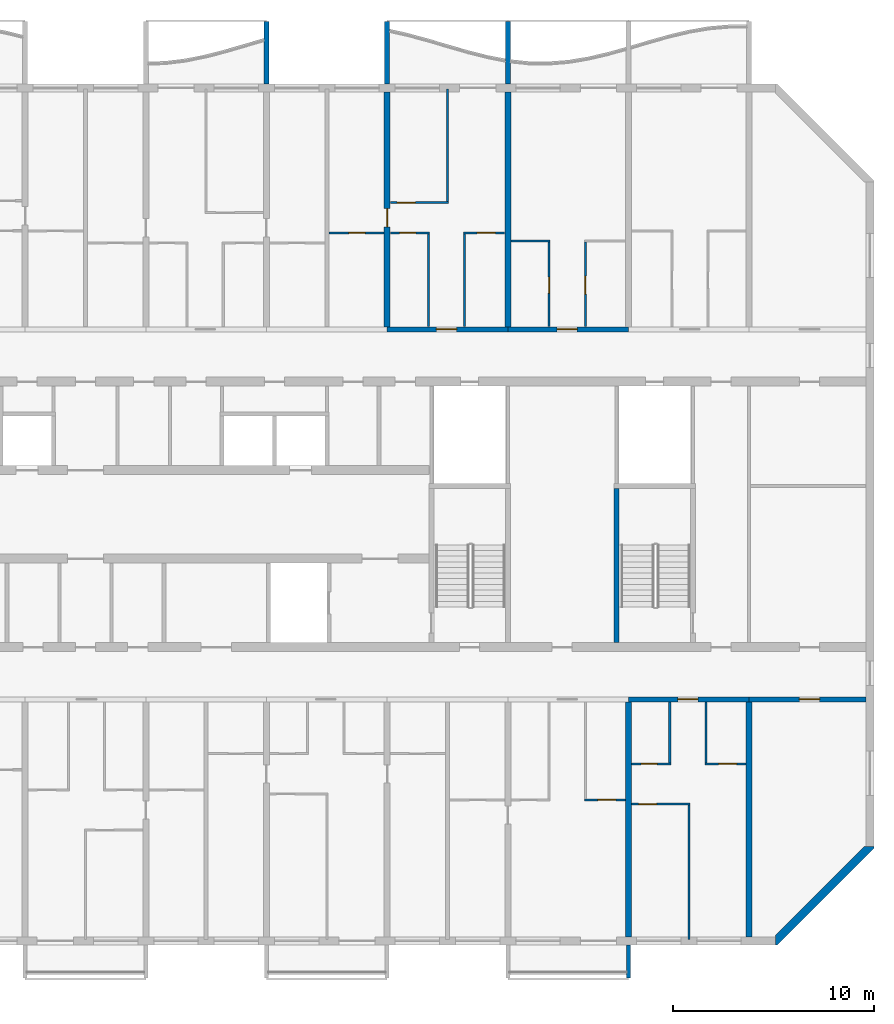
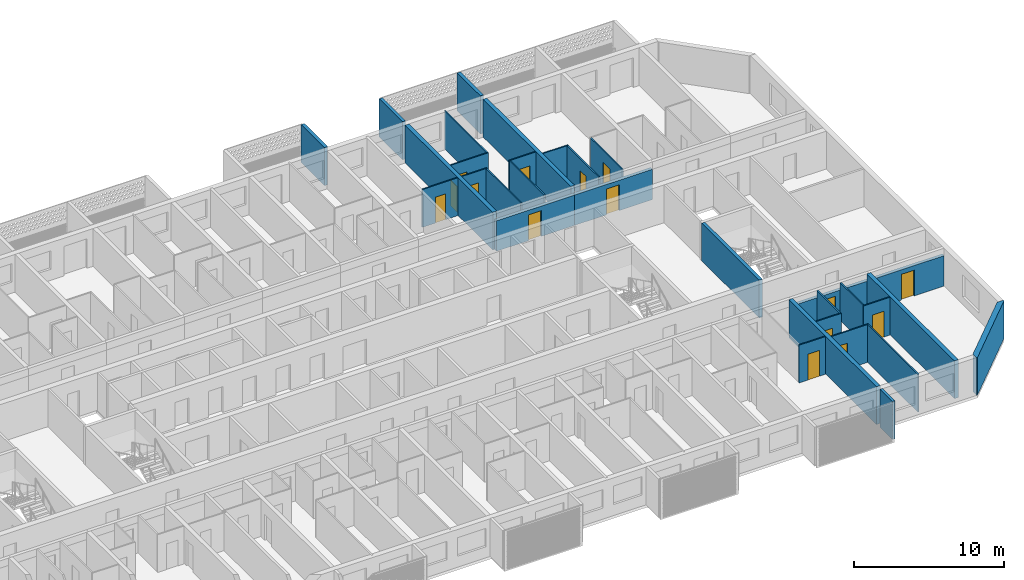
# One storey, part 12 of 33: 31 walls, 15 doors, 15 openings.
"""IFC4 building model written with IfcOpenShell, lengths in metres."""

from ifc_helpers import new_model, si_unit, direction, frame, frame_2d, origin, place, context, subcontext, project, spatial, polyline, rectangle, outline, extrude, source, transform, mapped, material, layer, layer_set, type_object, element, fill, save


model = new_model("IFC4")

# Units and contexts
model_context = context("Model", 3, precision=1e-05, world=origin(), true_north=direction((0.0, 1.0)))
body_context = subcontext(model_context, "Body", "Model", "MODEL_VIEW")
ifc_project = project(units=[si_unit("LENGTHUNIT", "METRE"), si_unit("AREAUNIT", "SQUARE_METRE"), si_unit("VOLUMEUNIT", "CUBIC_METRE"), si_unit("PLANEANGLEUNIT", "RADIAN"), si_unit("MASSUNIT", "GRAM", prefix="KILO")], contexts=[model_context])

# Site, building, storey
site_placement = place(None, origin())
site = spatial("IfcSite", under=ifc_project, at=site_placement, CompositionType="ELEMENT")
building_placement = place(site_placement, origin())
building = spatial("IfcBuilding", under=site, at=building_placement, Name="Poui Terraces", CompositionType="ELEMENT")
storey_placement = place(building_placement, frame((0.0, 0.0, 138.89990234375)))
storey = spatial("IfcBuildingStorey", under=building, at=storey_placement, Name="L38", CompositionType="ELEMENT", Elevation=138.89990234375)

# Wall, opening, door
ifc_material_1 = material(Name="Concrete 65 MPa", Category="concrete")
ifc_layer_1 = layer(ifc_material_1, 0.25)
ifc_layer_set_1 = layer_set([ifc_layer_1], Name="Concrete 65 MPa")
wall_type_1 = type_object("IfcWallType", Name="CORRIDOR WALL 250 65MPa", PredefinedType="SHEAR", material=ifc_layer_set_1)
wall_1_placement = place(storey_placement, frame((78.0, 12.0, 0.0), z_axis=(0.0, 0.0, 1.0), x_axis=(1.0, 0.0, 0.0)))
wall_1 = element("IfcWall", 1, at=wall_1_placement, inside=storey, type_object=wall_type_1, Name="CORRIDOR WALL LINE B BAY 12", PredefinedType="SHEAR", context=body_context, shape_type="SweptSolid", body=[
    extrude(rectangle(XDim=6.0, YDim=0.25, at=frame_2d((3.0, 0.0))), origin(), (0.0, 0.0, 1.0), 2.47021484375),
])
opening_1_placement = place(wall_1_placement, frame((2.449951171875, 0.0, 0.0)))
opening_1 = element("IfcOpeningElement", 2, at=opening_1_placement, cuts=wall_1, Name="Opening FD30S", PredefinedType="OPENING", context=body_context, shape_type="SweptSolid", body=[
    extrude(rectangle(XDim=1.0, YDim=2.10009765625, at=frame_2d((0.5, 1.050048828125))), frame((0.0, 0.135009765625, 0.0), z_axis=(0.0, -1.0, 0.0), x_axis=(1.0, 0.0, 0.0)), (0.0, 0.0, 1.0), 0.27001953125),
])
ifc_material_2 = material(Name="Steel fire door", Category="steel")
door_type_1 = type_object("IfcDoorType", Name="FLAT ENTRANCE DOOR 1000 X 2100", OperationType="NOTDEFINED", PredefinedType="DOOR", material=ifc_material_2)
door_1_placement = place(opening_1_placement, frame((1.0, 0.0, 0.0), z_axis=(0.0, 0.0, 1.0), x_axis=(-1.0, 0.0, 0.0)))
door_1 = element("IfcDoor", 3, at=door_1_placement, inside=storey, type_object=door_type_1, Name="FLAT ENTRANCE DOOR 114", OperationType="SINGLE_SWING_RIGHT", OverallHeight=2.10009765625, OverallWidth=1.0, PredefinedType="DOOR", context=body_context, shape_type="SweptSolid", body=[
    extrude(rectangle(XDim=1.0, YDim=2.10009765625, at=frame_2d((0.5, 1.050048828125))), frame((0.0, 0.02490234375, 0.0), z_axis=(0.0, -1.0, 0.0), x_axis=(1.0, 0.0, 0.0)), (0.0, 0.0, 1.0), 0.050048828125),
])
fill(opening_1, door_1)

wall_2_placement = place(storey_placement, frame((84.0, 12.0, 0.0), z_axis=(0.0, 0.0, 1.0), x_axis=(1.0, 0.0, 0.0)))
wall_2 = element("IfcWall", 4, at=wall_2_placement, inside=storey, type_object=wall_type_1, Name="CORRIDOR WALL LINE B BAY 13", PredefinedType="SHEAR", context=body_context, shape_type="SweptSolid", body=[
    extrude(rectangle(XDim=5.800048828125, YDim=0.25, at=frame_2d((2.89990234375, 0.0))), origin(), (0.0, 0.0, 1.0), 2.47021484375),
])
opening_2_placement = place(wall_2_placement, frame((2.5, 0.0, 0.0)))
opening_2 = element("IfcOpeningElement", 5, at=opening_2_placement, cuts=wall_2, Name="Opening D100", PredefinedType="OPENING", context=body_context, shape_type="SweptSolid", body=[
    extrude(rectangle(XDim=1.0, YDim=2.10009765625, at=frame_2d((0.5, 1.050048828125))), frame((0.0, 0.135009765625, 0.0), z_axis=(0.0, -1.0, 0.0), x_axis=(1.0, 0.0, 0.0)), (0.0, 0.0, 1.0), 0.27001953125),
])
ifc_material_3 = material(Name="Solid core timber door", Category="wood")
door_type_2 = type_object("IfcDoorType", Name="ACCESSIBLE INTERNAL DOOR 1000 X 2100", OperationType="NOTDEFINED", PredefinedType="DOOR", material=ifc_material_3)
door_2_placement = place(opening_2_placement, frame((1.0, 0.0, 0.0), z_axis=(0.0, 0.0, 1.0), x_axis=(-1.0, 0.0, 0.0)))
door_2 = element("IfcDoor", 6, at=door_2_placement, inside=storey, type_object=door_type_2, Name="ACCESSIBLE INTERNAL DOOR 116", OperationType="SINGLE_SWING_RIGHT", OverallHeight=2.10009765625, OverallWidth=1.0, PredefinedType="DOOR", context=body_context, shape_type="SweptSolid", body=[
    extrude(rectangle(XDim=1.0, YDim=2.10009765625, at=frame_2d((0.5, 1.050048828125))), frame((0.0, 0.02490234375, 0.0), z_axis=(0.0, -1.0, 0.0), x_axis=(1.0, 0.0, 0.0)), (0.0, 0.0, 1.0), 0.050048828125),
])
fill(opening_2, door_2)

wall_3_placement = place(storey_placement, frame((66.0, 30.39990234375, 0.0), z_axis=(0.0, 0.0, 1.0), x_axis=(1.0, 0.0, 0.0)))
wall_3 = element("IfcWall", 7, at=wall_3_placement, inside=storey, type_object=wall_type_1, Name="CORRIDOR WALL LINE E BAY 10", PredefinedType="SHEAR", context=body_context, shape_type="SweptSolid", body=[
    extrude(rectangle(XDim=6.0, YDim=0.25, at=frame_2d((3.0, 0.0))), origin(), (0.0, 0.0, 1.0), 2.47021484375),
])
opening_3_placement = place(wall_3_placement, frame((2.449951171875, 0.0, 0.0)))
opening_3 = element("IfcOpeningElement", 8, at=opening_3_placement, cuts=wall_3, Name="Opening FD30S", PredefinedType="OPENING", context=body_context, shape_type="SweptSolid", body=[
    extrude(rectangle(XDim=1.0, YDim=2.10009765625, at=frame_2d((0.5, 1.050048828125))), frame((0.0, 0.135009765625, 0.0), z_axis=(0.0, -1.0, 0.0), x_axis=(1.0, 0.0, 0.0)), (0.0, 0.0, 1.0), 0.27001953125),
])
door_3_placement = place(opening_3_placement, origin())
door_3 = element("IfcDoor", 9, at=door_3_placement, inside=storey, type_object=door_type_1, Name="FLAT ENTRANCE DOOR 065", OperationType="SINGLE_SWING_LEFT", OverallHeight=2.10009765625, OverallWidth=1.0, PredefinedType="DOOR", context=body_context, shape_type="SweptSolid", body=[
    extrude(rectangle(XDim=1.0, YDim=2.10009765625, at=frame_2d((0.5, 1.050048828125))), frame((0.0, 0.02490234375, 0.0), z_axis=(0.0, -1.0, 0.0), x_axis=(1.0, 0.0, 0.0)), (0.0, 0.0, 1.0), 0.050048828125),
])
fill(opening_3, door_3)

wall_4_placement = place(storey_placement, frame((72.0, 30.39990234375, 0.0), z_axis=(0.0, 0.0, 1.0), x_axis=(1.0, 0.0, 0.0)))
wall_4 = element("IfcWall", 10, at=wall_4_placement, inside=storey, type_object=wall_type_1, Name="CORRIDOR WALL LINE E BAY 11", PredefinedType="SHEAR", context=body_context, shape_type="SweptSolid", body=[
    extrude(rectangle(XDim=6.0, YDim=0.25, at=frame_2d((3.0, 0.0))), origin(), (0.0, 0.0, 1.0), 2.47021484375),
])
opening_4_placement = place(wall_4_placement, frame((2.449951171875, 0.0, 0.0)))
opening_4 = element("IfcOpeningElement", 11, at=opening_4_placement, cuts=wall_4, Name="Opening FD30S", PredefinedType="OPENING", context=body_context, shape_type="SweptSolid", body=[
    extrude(rectangle(XDim=1.0, YDim=2.10009765625, at=frame_2d((0.5, 1.050048828125))), frame((0.0, 0.135009765625, 0.0), z_axis=(0.0, -1.0, 0.0), x_axis=(1.0, 0.0, 0.0)), (0.0, 0.0, 1.0), 0.27001953125),
])
door_4_placement = place(opening_4_placement, origin())
door_4 = element("IfcDoor", 12, at=door_4_placement, inside=storey, type_object=door_type_1, Name="FLAT ENTRANCE DOOR 068", OperationType="SINGLE_SWING_LEFT", OverallHeight=2.10009765625, OverallWidth=1.0, PredefinedType="DOOR", context=body_context, shape_type="SweptSolid", body=[
    extrude(rectangle(XDim=1.0, YDim=2.10009765625, at=frame_2d((0.5, 1.050048828125))), frame((0.0, 0.02490234375, 0.0), z_axis=(0.0, -1.0, 0.0), x_axis=(1.0, 0.0, 0.0)), (0.0, 0.0, 1.0), 0.050048828125),
])
fill(opening_4, door_4)

ifc_layer_2 = layer(ifc_material_1, 0.300048828125)
ifc_layer_set_2 = layer_set([ifc_layer_2], Name="Concrete 65 MPa")
wall_type_2 = type_object("IfcWallType", Name="CROSS WALL 300 65MPa", PredefinedType="SHEAR", material=ifc_layer_set_2)
wall_5_placement = place(storey_placement, frame((66.0, 30.52490234375, 0.0), z_axis=(0.0, 0.0, 1.0), x_axis=(0.0, 1.0, 0.0)))
wall_5 = element("IfcWall", 13, at=wall_5_placement, inside=storey, type_object=wall_type_2, Name="CROSS WALL LINE 12 NORTH", PredefinedType="SHEAR", context=body_context, shape_type="SweptSolid", body=[
    extrude(rectangle(XDim=11.675048828125, YDim=0.300048828125, at=frame_2d((5.83740234375, 0.0))), origin(), (0.0, 0.0, 1.0), 3.070068359375),
])
opening_5_placement = place(wall_5_placement, frame((4.97509765625, 0.0, 0.0)))
opening_5 = element("IfcOpeningElement", 14, at=opening_5_placement, cuts=wall_5, Name="Opening D90", PredefinedType="OPENING", context=body_context, shape_type="SweptSolid", body=[
    extrude(rectangle(XDim=0.89990234375, YDim=2.10009765625, at=frame_2d((0.449951171875, 1.050048828125))), frame((0.0, 0.16015625, 0.0), z_axis=(0.0, -1.0, 0.0), x_axis=(1.0, 0.0, 0.0)), (0.0, 0.0, 1.0), 0.320068359375),
])
door_type_3 = type_object("IfcDoorType", Name="INTERNAL DOOR 900 X 2100", OperationType="NOTDEFINED", PredefinedType="DOOR", material=ifc_material_3)
door_5_placement = place(opening_5_placement, origin())
door_5 = element("IfcDoor", 15, at=door_5_placement, inside=storey, type_object=door_type_3, Name="INTERNAL DOOR 062", OperationType="SINGLE_SWING_LEFT", OverallHeight=2.10009765625, OverallWidth=0.89990234375, PredefinedType="DOOR", context=body_context, shape_type="SweptSolid", body=[
    extrude(rectangle(XDim=0.89990234375, YDim=2.10009765625, at=frame_2d((0.449951171875, 1.050048828125))), frame((0.0, 0.02490234375, 0.0), z_axis=(0.0, -1.0, 0.0), x_axis=(1.0, 0.0, 0.0)), (0.0, 0.0, 1.0), 0.050048828125),
])
fill(opening_5, door_5)

# Walls
for number, where, z_axis, x_axis, name in (
    (16, (72.0, 30.52490234375, 0.0), (0.0, 0.0, 1.0), (0.0, 1.0, 0.0), "CROSS WALL LINE 13 NORTH"),
    (17, (78.0, 0.199951171875, 0.0), (0.0, 0.0, 1.0), (0.0, 1.0, 0.0), "CROSS WALL LINE 14 SOUTH"),
    (18, (84.0, 0.199951171875, 0.0), (0.0, 0.0, 1.0), (0.0, 1.0, 0.0), "CROSS WALL LINE 15 SOUTH"),
):
    element("IfcWall", number, at=place(storey_placement, frame(where, z_axis=z_axis, x_axis=x_axis)), inside=storey, type_object=wall_type_2, Name=name, PredefinedType="SHEAR", context=body_context, shape_type="SweptSolid", body=[
        extrude(rectangle(XDim=11.675048828125, YDim=0.300048828125, at=frame_2d((5.83740234375, 0.0))), origin(), (0.0, 0.0, 1.0), 3.070068359375),
    ])

# Wall, opening, door
ifc_material_4 = material(Name="Plasterboard partition")
ifc_layer_3 = layer(ifc_material_4, 0.10009765625)
ifc_layer_set_3 = layer_set([ifc_layer_3], Name="Plasterboard partition")
wall_type_3 = type_object("IfcWallType", Name="FLAT PARTITION 100", PredefinedType="PARTITIONING", material=ifc_layer_set_3)
wall_6_placement = place(storey_placement, frame((78.159912109375, 6.800048828125, 0.0), z_axis=(0.0, 0.0, 1.0), x_axis=(1.0, 0.0, 0.0)))
wall_6 = element("IfcWall", 19, at=wall_6_placement, inside=storey, type_object=wall_type_3, Name="FLAT PARTITION 100", PredefinedType="PARTITIONING", context=body_context, shape_type="SweptSolid", body=[
    extrude(rectangle(XDim=2.89013671875, YDim=0.10009765625, at=frame_2d((1.445068359375, 0.0))), origin(), (0.0, 0.0, 1.0), 3.070068359375),
])
opening_6_placement = place(wall_6_placement, frame((0.340087890625, 0.0, 0.0)))
opening_6 = element("IfcOpeningElement", 20, at=opening_6_placement, cuts=wall_6, Name="Opening D90", PredefinedType="OPENING", context=body_context, shape_type="SweptSolid", body=[
    extrude(rectangle(XDim=0.89990234375, YDim=2.10009765625, at=frame_2d((0.449951171875, 1.050048828125))), frame((0.0, 0.06005859375, 0.0), z_axis=(0.0, -1.0, 0.0), x_axis=(1.0, 0.0, 0.0)), (0.0, 0.0, 1.0), 0.1201171875),
])
door_6_placement = place(opening_6_placement, origin())
door_6 = element("IfcDoor", 21, at=door_6_placement, inside=storey, type_object=door_type_3, Name="INTERNAL DOOR 112", OperationType="SINGLE_SWING_RIGHT", OverallHeight=2.10009765625, OverallWidth=0.89990234375, PredefinedType="DOOR", context=body_context, shape_type="SweptSolid", body=[
    extrude(rectangle(XDim=0.89990234375, YDim=2.10009765625, at=frame_2d((0.449951171875, 1.050048828125))), frame((0.0, 0.02490234375, 0.0), z_axis=(0.0, -1.0, 0.0), x_axis=(1.0, 0.0, 0.0)), (0.0, 0.0, 1.0), 0.050048828125),
])
fill(opening_6, door_6)

wall_7_placement = place(storey_placement, frame((75.800048828125, 7.0, 0.0), z_axis=(0.0, 0.0, 1.0), x_axis=(1.0, 0.0, 0.0)))
wall_7 = element("IfcWall", 22, at=wall_7_placement, inside=storey, type_object=wall_type_3, Name="FLAT PARTITION 100", PredefinedType="PARTITIONING", context=body_context, shape_type="SweptSolid", body=[
    extrude(rectangle(XDim=2.0400390625, YDim=0.10009765625, at=frame_2d((1.02001953125, 0.0))), origin(), (0.0, 0.0, 1.0), 3.070068359375),
])
opening_7_placement = place(wall_7_placement, frame((0.675048828125, 0.0, 0.0)))
opening_7 = element("IfcOpeningElement", 23, at=opening_7_placement, cuts=wall_7, Name="Opening D90", PredefinedType="OPENING", context=body_context, shape_type="SweptSolid", body=[
    extrude(rectangle(XDim=0.89990234375, YDim=2.10009765625, at=frame_2d((0.449951171875, 1.050048828125))), frame((0.0, 0.06005859375, 0.0), z_axis=(0.0, -1.0, 0.0), x_axis=(1.0, 0.0, 0.0)), (0.0, 0.0, 1.0), 0.1201171875),
])
door_7_placement = place(opening_7_placement, origin())
door_7 = element("IfcDoor", 24, at=door_7_placement, inside=storey, type_object=door_type_3, Name="INTERNAL DOOR 111", OperationType="SINGLE_SWING_RIGHT", OverallHeight=2.10009765625, OverallWidth=0.89990234375, PredefinedType="DOOR", context=body_context, shape_type="SweptSolid", body=[
    extrude(rectangle(XDim=0.89990234375, YDim=2.10009765625, at=frame_2d((0.449951171875, 1.050048828125))), frame((0.0, 0.02490234375, 0.0), z_axis=(0.0, -1.0, 0.0), x_axis=(1.0, 0.0, 0.0)), (0.0, 0.0, 1.0), 0.050048828125),
])
fill(opening_7, door_7)

wall_8_placement = place(storey_placement, frame((78.159912109375, 8.800048828125, 0.0), z_axis=(0.0, 0.0, 1.0), x_axis=(1.0, 0.0, 0.0)))
wall_8 = element("IfcWall", 25, at=wall_8_placement, inside=storey, type_object=wall_type_3, Name="FLAT PARTITION 100", PredefinedType="PARTITIONING", context=body_context, shape_type="SweptSolid", body=[
    extrude(rectangle(XDim=1.940185546875, YDim=0.10009765625, at=frame_2d((0.97021484375, 0.0))), origin(), (0.0, 0.0, 1.0), 3.070068359375),
])
opening_8_placement = place(wall_8_placement, frame((0.465087890625, 0.0, 0.0)))
opening_8 = element("IfcOpeningElement", 26, at=opening_8_placement, cuts=wall_8, Name="Opening D80", PredefinedType="OPENING", context=body_context, shape_type="SweptSolid", body=[
    extrude(rectangle(XDim=0.800048828125, YDim=2.10009765625, at=frame_2d((0.39990234375, 1.050048828125))), frame((0.0, 0.06005859375, 0.0), z_axis=(0.0, -1.0, 0.0), x_axis=(1.0, 0.0, 0.0)), (0.0, 0.0, 1.0), 0.1201171875),
])
door_type_4 = type_object("IfcDoorType", Name="BATHROOM, LAUNDRY AND STORE DOOR 800 X 2100", OperationType="NOTDEFINED", PredefinedType="DOOR", material=ifc_material_3)
door_8_placement = place(opening_8_placement, origin())
door_8 = element("IfcDoor", 27, at=door_8_placement, inside=storey, type_object=door_type_4, Name="BATHROOM, LAUNDRY AND STORE DOOR 113", OperationType="SINGLE_SWING_LEFT", OverallHeight=2.10009765625, OverallWidth=0.800048828125, PredefinedType="DOOR", context=body_context, shape_type="SweptSolid", body=[
    extrude(rectangle(XDim=0.800048828125, YDim=2.10009765625, at=frame_2d((0.39990234375, 1.050048828125))), frame((0.0, 0.02490234375, 0.0), z_axis=(0.0, -1.0, 0.0), x_axis=(1.0, 0.0, 0.0)), (0.0, 0.0, 1.0), 0.050048828125),
])
fill(opening_8, door_8)

wall_9_placement = place(storey_placement, frame((81.800048828125, 8.800048828125, 0.0), z_axis=(0.0, 0.0, 1.0), x_axis=(1.0, 0.0, 0.0)))
wall_9 = element("IfcWall", 28, at=wall_9_placement, inside=storey, type_object=wall_type_3, Name="FLAT PARTITION 100", PredefinedType="PARTITIONING", context=body_context, shape_type="SweptSolid", body=[
    extrude(rectangle(XDim=2.0400390625, YDim=0.10009765625, at=frame_2d((1.02001953125, 0.0))), origin(), (0.0, 0.0, 1.0), 3.070068359375),
])
opening_9_placement = place(wall_9_placement, frame((0.675048828125, 0.0, 0.0)))
opening_9 = element("IfcOpeningElement", 29, at=opening_9_placement, cuts=wall_9, Name="Opening D90", PredefinedType="OPENING", context=body_context, shape_type="SweptSolid", body=[
    extrude(rectangle(XDim=0.89990234375, YDim=2.10009765625, at=frame_2d((0.449951171875, 1.050048828125))), frame((0.0, 0.06005859375, 0.0), z_axis=(0.0, -1.0, 0.0), x_axis=(1.0, 0.0, 0.0)), (0.0, 0.0, 1.0), 0.1201171875),
])
door_9_placement = place(opening_9_placement, origin())
door_9 = element("IfcDoor", 30, at=door_9_placement, inside=storey, type_object=door_type_3, Name="INTERNAL DOOR 115", OperationType="SINGLE_SWING_RIGHT", OverallHeight=2.10009765625, OverallWidth=0.89990234375, PredefinedType="DOOR", context=body_context, shape_type="SweptSolid", body=[
    extrude(rectangle(XDim=0.89990234375, YDim=2.10009765625, at=frame_2d((0.449951171875, 1.050048828125))), frame((0.0, 0.02490234375, 0.0), z_axis=(0.0, -1.0, 0.0), x_axis=(1.0, 0.0, 0.0)), (0.0, 0.0, 1.0), 0.050048828125),
])
fill(opening_9, door_9)

# Wall
wall_10_placement = place(storey_placement, frame((72.159912109375, 34.800048828125, 0.0), z_axis=(0.0, 0.0, 1.0), x_axis=(1.0, 0.0, 0.0)))
element("IfcWall", 31, at=wall_10_placement, inside=storey, type_object=wall_type_3, Name="FLAT PARTITION 100", PredefinedType="PARTITIONING", context=body_context, shape_type="SweptSolid", body=[
    extrude(rectangle(XDim=1.940185546875, YDim=0.10009765625, at=frame_2d((0.97021484375, 0.0))), origin(), (0.0, 0.0, 1.0), 3.070068359375),
])

# Wall, opening, door
wall_11_placement = place(storey_placement, frame((63.10009765625, 35.199951171875, 0.0), z_axis=(0.0, 0.0, 1.0), x_axis=(1.0, 0.0, 0.0)))
wall_11 = element("IfcWall", 32, at=wall_11_placement, inside=storey, type_object=wall_type_3, Name="FLAT PARTITION 100", PredefinedType="PARTITIONING", context=body_context, shape_type="SweptSolid", body=[
    extrude(rectangle(XDim=2.739990234375, YDim=0.10009765625, at=frame_2d((1.3701171875, 0.0))), origin(), (0.0, 0.0, 1.0), 3.070068359375),
])
opening_10_placement = place(wall_11_placement, frame((1.0, 0.0, 0.0)))
opening_10 = element("IfcOpeningElement", 33, at=opening_10_placement, cuts=wall_11, Name="Opening D80", PredefinedType="OPENING", context=body_context, shape_type="SweptSolid", body=[
    extrude(rectangle(XDim=0.800048828125, YDim=2.10009765625, at=frame_2d((0.39990234375, 1.050048828125))), frame((0.0, 0.06005859375, 0.0), z_axis=(0.0, -1.0, 0.0), x_axis=(1.0, 0.0, 0.0)), (0.0, 0.0, 1.0), 0.1201171875),
])
door_10_placement = place(opening_10_placement, frame((0.800048828125, 0.0, 0.0), z_axis=(0.0, 0.0, 1.0), x_axis=(-1.0, 0.0, 0.0)))
door_10 = element("IfcDoor", 34, at=door_10_placement, inside=storey, type_object=door_type_4, Name="BATHROOM, LAUNDRY AND STORE DOOR 061", OperationType="SINGLE_SWING_RIGHT", OverallHeight=2.10009765625, OverallWidth=0.800048828125, PredefinedType="DOOR", context=body_context, shape_type="SweptSolid", body=[
    extrude(rectangle(XDim=0.800048828125, YDim=2.10009765625, at=frame_2d((0.39990234375, 1.050048828125))), frame((0.0, 0.02490234375, 0.0), z_axis=(0.0, -1.0, 0.0), x_axis=(1.0, 0.0, 0.0)), (0.0, 0.0, 1.0), 0.050048828125),
])
fill(opening_10, door_10)

wall_12_placement = place(storey_placement, frame((66.159912109375, 35.199951171875, 0.0), z_axis=(0.0, 0.0, 1.0), x_axis=(1.0, 0.0, 0.0)))
wall_12 = element("IfcWall", 35, at=wall_12_placement, inside=storey, type_object=wall_type_3, Name="FLAT PARTITION 100", PredefinedType="PARTITIONING", context=body_context, shape_type="SweptSolid", body=[
    extrude(rectangle(XDim=1.940185546875, YDim=0.10009765625, at=frame_2d((0.97021484375, 0.0))), origin(), (0.0, 0.0, 1.0), 3.070068359375),
])
opening_11_placement = place(wall_12_placement, frame((0.465087890625, 0.0, 0.0)))
opening_11 = element("IfcOpeningElement", 36, at=opening_11_placement, cuts=wall_12, Name="Opening D80", PredefinedType="OPENING", context=body_context, shape_type="SweptSolid", body=[
    extrude(rectangle(XDim=0.800048828125, YDim=2.10009765625, at=frame_2d((0.39990234375, 1.050048828125))), frame((0.0, 0.06005859375, 0.0), z_axis=(0.0, -1.0, 0.0), x_axis=(1.0, 0.0, 0.0)), (0.0, 0.0, 1.0), 0.1201171875),
])
door_11_placement = place(opening_11_placement, frame((0.800048828125, 0.0, 0.0), z_axis=(0.0, 0.0, 1.0), x_axis=(-1.0, 0.0, 0.0)))
door_11 = element("IfcDoor", 37, at=door_11_placement, inside=storey, type_object=door_type_4, Name="BATHROOM, LAUNDRY AND STORE DOOR 064", OperationType="SINGLE_SWING_RIGHT", OverallHeight=2.10009765625, OverallWidth=0.800048828125, PredefinedType="DOOR", context=body_context, shape_type="SweptSolid", body=[
    extrude(rectangle(XDim=0.800048828125, YDim=2.10009765625, at=frame_2d((0.39990234375, 1.050048828125))), frame((0.0, 0.02490234375, 0.0), z_axis=(0.0, -1.0, 0.0), x_axis=(1.0, 0.0, 0.0)), (0.0, 0.0, 1.0), 0.050048828125),
])
fill(opening_11, door_11)

wall_13_placement = place(storey_placement, frame((69.800048828125, 35.199951171875, 0.0), z_axis=(0.0, 0.0, 1.0), x_axis=(1.0, 0.0, 0.0)))
wall_13 = element("IfcWall", 38, at=wall_13_placement, inside=storey, type_object=wall_type_3, Name="FLAT PARTITION 100", PredefinedType="PARTITIONING", context=body_context, shape_type="SweptSolid", body=[
    extrude(rectangle(XDim=2.0400390625, YDim=0.10009765625, at=frame_2d((1.02001953125, 0.0))), origin(), (0.0, 0.0, 1.0), 3.070068359375),
])
opening_12_placement = place(wall_13_placement, frame((0.675048828125, 0.0, 0.0)))
opening_12 = element("IfcOpeningElement", 39, at=opening_12_placement, cuts=wall_13, Name="Opening D90", PredefinedType="OPENING", context=body_context, shape_type="SweptSolid", body=[
    extrude(rectangle(XDim=0.89990234375, YDim=2.10009765625, at=frame_2d((0.449951171875, 1.050048828125))), frame((0.0, 0.06005859375, 0.0), z_axis=(0.0, -1.0, 0.0), x_axis=(1.0, 0.0, 0.0)), (0.0, 0.0, 1.0), 0.1201171875),
])
door_12_placement = place(opening_12_placement, frame((0.89990234375, 0.0, 0.0), z_axis=(0.0, 0.0, 1.0), x_axis=(-1.0, 0.0, 0.0)))
door_12 = element("IfcDoor", 40, at=door_12_placement, inside=storey, type_object=door_type_3, Name="INTERNAL DOOR 066", OperationType="SINGLE_SWING_LEFT", OverallHeight=2.10009765625, OverallWidth=0.89990234375, PredefinedType="DOOR", context=body_context, shape_type="SweptSolid", body=[
    extrude(rectangle(XDim=0.89990234375, YDim=2.10009765625, at=frame_2d((0.449951171875, 1.050048828125))), frame((0.0, 0.02490234375, 0.0), z_axis=(0.0, -1.0, 0.0), x_axis=(1.0, 0.0, 0.0)), (0.0, 0.0, 1.0), 0.050048828125),
])
fill(opening_12, door_12)

wall_14_placement = place(storey_placement, frame((66.159912109375, 36.699951171875, 0.0), z_axis=(0.0, 0.0, 1.0), x_axis=(1.0, 0.0, 0.0)))
wall_14 = element("IfcWall", 41, at=wall_14_placement, inside=storey, type_object=wall_type_3, Name="FLAT PARTITION 100", PredefinedType="PARTITIONING", context=body_context, shape_type="SweptSolid", body=[
    extrude(rectangle(XDim=2.89013671875, YDim=0.10009765625, at=frame_2d((1.445068359375, 0.0))), origin(), (0.0, 0.0, 1.0), 3.070068359375),
])
opening_13_placement = place(wall_14_placement, frame((0.340087890625, 0.0, 0.0)))
opening_13 = element("IfcOpeningElement", 42, at=opening_13_placement, cuts=wall_14, Name="Opening D90", PredefinedType="OPENING", context=body_context, shape_type="SweptSolid", body=[
    extrude(rectangle(XDim=0.89990234375, YDim=2.10009765625, at=frame_2d((0.449951171875, 1.050048828125))), frame((0.0, 0.06005859375, 0.0), z_axis=(0.0, -1.0, 0.0), x_axis=(1.0, 0.0, 0.0)), (0.0, 0.0, 1.0), 0.1201171875),
])
door_13_placement = place(opening_13_placement, frame((0.89990234375, 0.0, 0.0), z_axis=(0.0, 0.0, 1.0), x_axis=(-1.0, 0.0, 0.0)))
door_13 = element("IfcDoor", 43, at=door_13_placement, inside=storey, type_object=door_type_3, Name="INTERNAL DOOR 063", OperationType="SINGLE_SWING_LEFT", OverallHeight=2.10009765625, OverallWidth=0.89990234375, PredefinedType="DOOR", context=body_context, shape_type="SweptSolid", body=[
    extrude(rectangle(XDim=0.89990234375, YDim=2.10009765625, at=frame_2d((0.449951171875, 1.050048828125))), frame((0.0, 0.02490234375, 0.0), z_axis=(0.0, -1.0, 0.0), x_axis=(1.0, 0.0, 0.0)), (0.0, 0.0, 1.0), 0.050048828125),
])
fill(opening_13, door_13)

# Walls
wall_15_placement = place(storey_placement, frame((68.050048828125, 30.534912109375, 0.0), z_axis=(0.0, 0.0, 1.0), x_axis=(0.0, 1.0, 0.0)))
element("IfcWall", 44, at=wall_15_placement, inside=storey, type_object=wall_type_3, Name="FLAT PARTITION 100", PredefinedType="PARTITIONING", context=body_context, shape_type="SweptSolid", body=[
    extrude(rectangle(XDim=4.614990234375, YDim=0.10009765625, at=frame_2d((2.3076171875, 0.0))), origin(), (0.0, 0.0, 1.0), 3.070068359375),
])
wall_16_placement = place(storey_placement, frame((69.0, 36.75, 0.0), z_axis=(0.0, 0.0, 1.0), x_axis=(0.0, 1.0, 0.0)))
element("IfcWall", 45, at=wall_16_placement, inside=storey, type_object=wall_type_3, Name="FLAT PARTITION 100", PredefinedType="PARTITIONING", context=body_context, shape_type="SweptSolid", body=[
    extrude(rectangle(XDim=5.590087890625, YDim=0.10009765625, at=frame_2d((2.794921875, 0.0))), origin(), (0.0, 0.0, 1.0), 3.070068359375),
])
wall_17_placement = place(storey_placement, frame((69.85009765625, 30.534912109375, 0.0), z_axis=(0.0, 0.0, 1.0), x_axis=(0.0, 1.0, 0.0)))
element("IfcWall", 46, at=wall_17_placement, inside=storey, type_object=wall_type_3, Name="FLAT PARTITION 100", PredefinedType="PARTITIONING", context=body_context, shape_type="SweptSolid", body=[
    extrude(rectangle(XDim=4.614990234375, YDim=0.10009765625, at=frame_2d((2.3076171875, 0.0))), origin(), (0.0, 0.0, 1.0), 3.070068359375),
])

# Wall, opening, door
wall_18_placement = place(storey_placement, frame((74.050048828125, 30.534912109375, 0.0), z_axis=(0.0, 0.0, 1.0), x_axis=(0.0, 1.0, 0.0)))
wall_18 = element("IfcWall", 47, at=wall_18_placement, inside=storey, type_object=wall_type_3, Name="FLAT PARTITION 100", PredefinedType="PARTITIONING", context=body_context, shape_type="SweptSolid", body=[
    extrude(rectangle(XDim=4.215087890625, YDim=0.10009765625, at=frame_2d((2.107421875, 0.0))), origin(), (0.0, 0.0, 1.0), 3.070068359375),
])
opening_14_placement = place(wall_18_placement, frame((1.6650390625, 0.0, 0.0)))
opening_14 = element("IfcOpeningElement", 48, at=opening_14_placement, cuts=wall_18, Name="Opening D80", PredefinedType="OPENING", context=body_context, shape_type="SweptSolid", body=[
    extrude(rectangle(XDim=0.800048828125, YDim=2.10009765625, at=frame_2d((0.39990234375, 1.050048828125))), frame((0.0, 0.06005859375, 0.0), z_axis=(0.0, -1.0, 0.0), x_axis=(1.0, 0.0, 0.0)), (0.0, 0.0, 1.0), 0.1201171875),
])
door_14_placement = place(opening_14_placement, origin())
door_14 = element("IfcDoor", 49, at=door_14_placement, inside=storey, type_object=door_type_4, Name="BATHROOM, LAUNDRY AND STORE DOOR 067", OperationType="SINGLE_SWING_LEFT", OverallHeight=2.10009765625, OverallWidth=0.800048828125, PredefinedType="DOOR", context=body_context, shape_type="SweptSolid", body=[
    extrude(rectangle(XDim=0.800048828125, YDim=2.10009765625, at=frame_2d((0.39990234375, 1.050048828125))), frame((0.0, 0.02490234375, 0.0), z_axis=(0.0, -1.0, 0.0), x_axis=(1.0, 0.0, 0.0)), (0.0, 0.0, 1.0), 0.050048828125),
])
fill(opening_14, door_14)

wall_19_placement = place(storey_placement, frame((75.85009765625, 30.534912109375, 0.0), z_axis=(0.0, 0.0, 1.0), x_axis=(0.0, 1.0, 0.0)))
wall_19 = element("IfcWall", 50, at=wall_19_placement, inside=storey, type_object=wall_type_3, Name="FLAT PARTITION 100", PredefinedType="PARTITIONING", context=body_context, shape_type="SweptSolid", body=[
    extrude(rectangle(XDim=4.215087890625, YDim=0.10009765625, at=frame_2d((2.107421875, 0.0))), origin(), (0.0, 0.0, 1.0), 3.070068359375),
])
opening_15_placement = place(wall_19_placement, frame((1.614990234375, 0.0, 0.0)))
opening_15 = element("IfcOpeningElement", 51, at=opening_15_placement, cuts=wall_19, Name="Opening D90", PredefinedType="OPENING", context=body_context, shape_type="SweptSolid", body=[
    extrude(rectangle(XDim=0.89990234375, YDim=2.10009765625, at=frame_2d((0.449951171875, 1.050048828125))), frame((0.0, 0.06005859375, 0.0), z_axis=(0.0, -1.0, 0.0), x_axis=(1.0, 0.0, 0.0)), (0.0, 0.0, 1.0), 0.1201171875),
])
door_15_placement = place(opening_15_placement, frame((0.89990234375, 0.0, 0.0), z_axis=(0.0, 0.0, 1.0), x_axis=(-1.0, 0.0, 0.0)))
door_15 = element("IfcDoor", 52, at=door_15_placement, inside=storey, type_object=door_type_3, Name="INTERNAL DOOR 069", OperationType="SINGLE_SWING_LEFT", OverallHeight=2.10009765625, OverallWidth=0.89990234375, PredefinedType="DOOR", context=body_context, shape_type="SweptSolid", body=[
    extrude(rectangle(XDim=0.89990234375, YDim=2.10009765625, at=frame_2d((0.449951171875, 1.050048828125))), frame((0.0, 0.02490234375, 0.0), z_axis=(0.0, -1.0, 0.0), x_axis=(1.0, 0.0, 0.0)), (0.0, 0.0, 1.0), 0.050048828125),
])
fill(opening_15, door_15)

# Walls
wall_20_placement = place(storey_placement, frame((80.050048828125, 8.85009765625, 0.0), z_axis=(0.0, 0.0, 1.0), x_axis=(0.0, 1.0, 0.0)))
element("IfcWall", 53, at=wall_20_placement, inside=storey, type_object=wall_type_3, Name="FLAT PARTITION 100", PredefinedType="PARTITIONING", context=body_context, shape_type="SweptSolid", body=[
    extrude(rectangle(XDim=3.014892578125, YDim=0.10009765625, at=frame_2d((1.50732421875, 0.0))), origin(), (0.0, 0.0, 1.0), 3.070068359375),
])
wall_21_placement = place(storey_placement, frame((81.0, 0.06005859375, 0.0), z_axis=(0.0, 0.0, 1.0), x_axis=(0.0, 1.0, 0.0)))
element("IfcWall", 54, at=wall_21_placement, inside=storey, type_object=wall_type_3, Name="FLAT PARTITION 100", PredefinedType="PARTITIONING", context=body_context, shape_type="SweptSolid", body=[
    extrude(rectangle(XDim=6.68994140625, YDim=0.10009765625, at=frame_2d((3.344970703125, 0.0))), origin(), (0.0, 0.0, 1.0), 3.070068359375),
])
wall_22_placement = place(storey_placement, frame((81.85009765625, 8.85009765625, 0.0), z_axis=(0.0, 0.0, 1.0), x_axis=(0.0, 1.0, 0.0)))
element("IfcWall", 55, at=wall_22_placement, inside=storey, type_object=wall_type_3, Name="FLAT PARTITION 100", PredefinedType="PARTITIONING", context=body_context, shape_type="SweptSolid", body=[
    extrude(rectangle(XDim=3.014892578125, YDim=0.10009765625, at=frame_2d((1.50732421875, 0.0))), origin(), (0.0, 0.0, 1.0), 3.070068359375),
])
ifc_layer_4 = layer(ifc_material_1, 0.25)
ifc_layer_set_4 = layer_set([ifc_layer_4], Name="Concrete 65 MPa")
wall_type_4 = type_object("IfcWallType", Name="STAIR CORE WALL 250 65 MPA", PredefinedType="SOLIDWALL", material=ifc_layer_set_4)
wall_23_placement = place(storey_placement, frame((77.39990234375, 14.824951171875, 0.0), z_axis=(0.0, 0.0, 1.0), x_axis=(0.0, 1.0, 0.0)))
element("IfcWall", 56, at=wall_23_placement, inside=storey, type_object=wall_type_4, Name="STAIR CORE WALL", PredefinedType="SOLIDWALL", context=body_context, shape_type="SweptSolid", body=[
    extrude(rectangle(XDim=7.650146484375, YDim=0.25, at=frame_2d((3.8251953125, 0.0))), origin(), (0.0, 0.0, 1.0), 3.070068359375),
])
ifc_material_5 = material(Name="Precast concrete 40 MPa", Category="concrete")
ifc_layer_5 = layer(ifc_material_5, 0.39990234375)
ifc_layer_set_5 = layer_set([ifc_layer_5], Name="Precast concrete 40 MPa")
wall_type_5 = type_object("IfcWallType", Name="TERRACOTTA CLAD CHAMFER WALL 400", PredefinedType="STANDARD", material=ifc_layer_set_5)
wall_24_placement = place(storey_placement, origin())
element("IfcWall", 57, at=wall_24_placement, inside=storey, type_object=wall_type_5, Name="CHAMFER WALL CH01", PredefinedType="STANDARD", context=body_context, shape_type="SweptSolid", body=[
    extrude(outline(polyline([(85.317138671875, -0.199951171875), (85.39990234375, -0.199951171875), (90.199951171875, 4.60009765625), (90.199951171875, 4.682861328125), (89.71728515625, 4.682861328125), (85.317138671875, 0.28271484375), (85.317138671875, -0.199951171875)])), origin(), (0.0, 0.0, 1.0), 3.070068359375),
])
ifc_layer_6 = layer(ifc_material_5, 0.199951171875)
ifc_layer_set_6 = layer_set([ifc_layer_6], Name="Precast concrete 40 MPa")
wall_type_6 = type_object("IfcWallType", Name="REAR FIN 200", PredefinedType="STANDARD", material=ifc_layer_set_6)
shared_shape_1 = source(origin(), body_context, "Body", "SweptSolid", [
    extrude(outline(polyline([(0.0, 0.0), (0.2001953125, 0.0), (0.2001953125, 1.650146484375), (0.0, 1.650146484375), (0.0, 0.0)])), origin(), (0.0, 0.0, 1.0), 3.10009765625),
])
wall_25_placement = place(storey_placement, frame((77.89990234375, -1.85009765625, 0.0)))
element("IfcWall", 58, at=wall_25_placement, inside=storey, type_object=wall_type_6, Name="REAR FIN", PredefinedType="STANDARD", context=body_context, shape_type="MappedRepresentation", body=[
    mapped(shared_shape_1, transform((0.0, 0.0, 0.0))),
])
ifc_layer_7 = layer(ifc_material_5, 0.25)
ifc_layer_set_7 = layer_set([ifc_layer_7], Name="Precast concrete 40 MPa")
wall_type_7 = type_object("IfcWallType", Name="BALCONY FIN 250", PredefinedType="STANDARD", material=ifc_layer_set_7)
shared_shape_2 = source(origin(), body_context, "Body", "SweptSolid", [
    extrude(outline(polyline([(0.0, 0.0), (0.25, 0.0), (0.25, 3.099853515625), (0.0, 3.099853515625), (0.0, 0.0)])), origin(), (0.0, 0.0, 1.0), 3.10009765625),
])
for number, where, name in (
    (59, (59.875, 42.60009765625, 0.0), "BALCONY FIN"),
    (60, (65.875, 42.60009765625, 0.0), "BALCONY FIN"),
    (61, (71.875, 42.60009765625, 0.0), "BALCONY FIN"),
):
    element("IfcWall", number, at=place(storey_placement, frame(where)), inside=storey, type_object=wall_type_7, Name=name, PredefinedType="STANDARD", context=body_context, shape_type="MappedRepresentation", body=[
        mapped(shared_shape_2, transform((0.0, 0.0, 0.0))),
    ])

save(model, "model.ifc")
